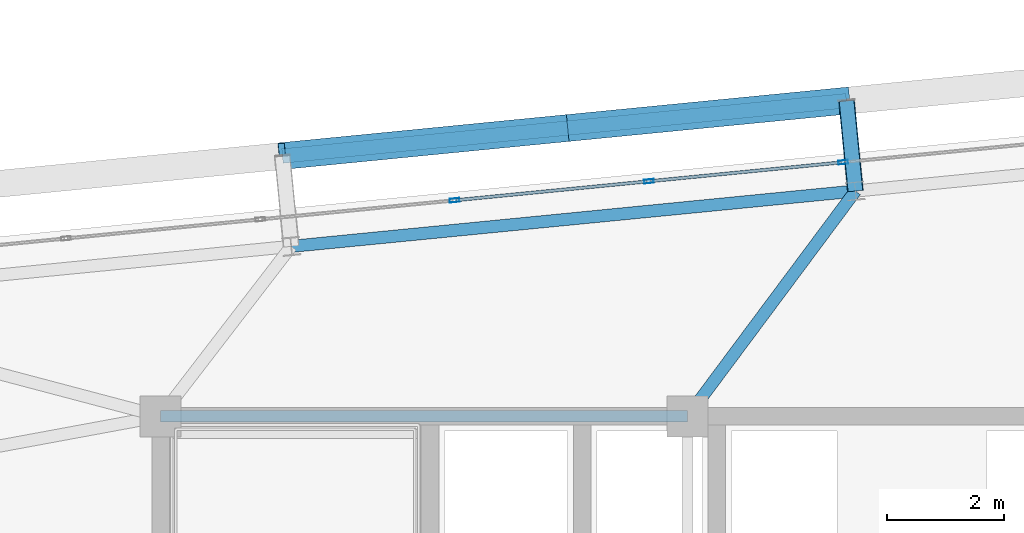
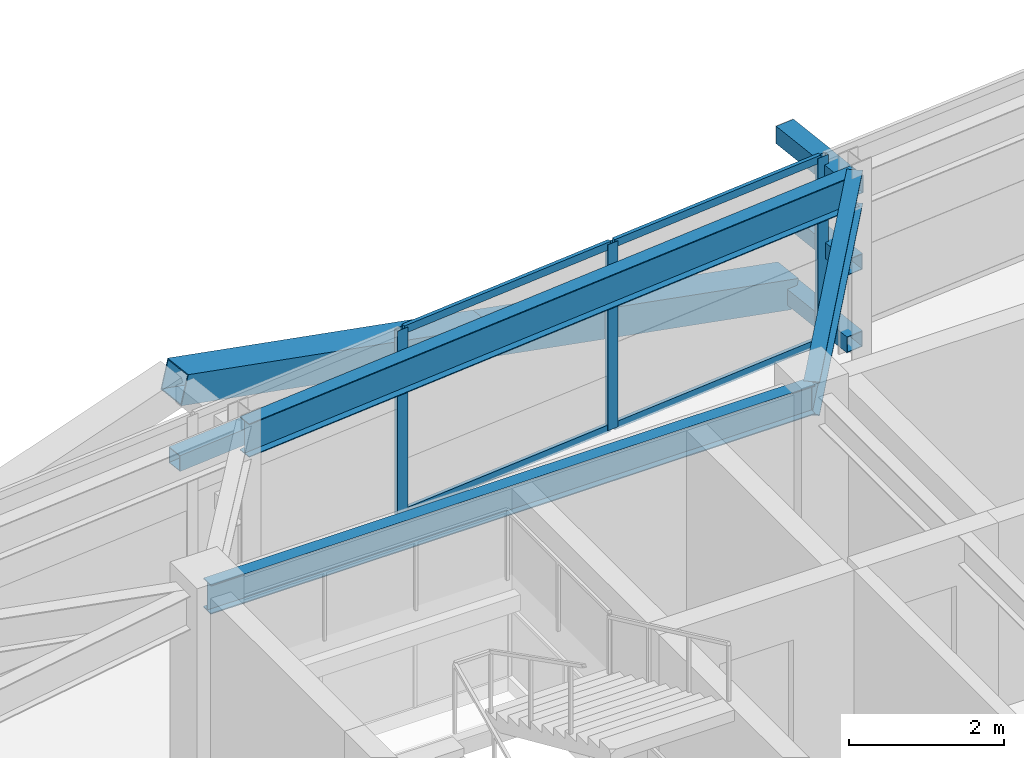
# One storey, part 29 of 54: 13 members, 3 beams, 1 element without a shape of its own.
"""IFC4 building model written with IfcOpenShell, lengths in metres."""

from ifc_helpers import new_model, si_unit, direction, frame, origin, origin_2d, place, context, subcontext, project, spatial, hollow_rectangle, i_section, extrude, source, transform, mapped, material, layer, layer_set, material_profile, profile_set, type_object, element, aggregate, save


model = new_model("IFC4")

# Units and contexts
model_context = context("Model", 3, precision=1e-05, world=origin(), true_north=direction((0.0, 1.0)))
body_context = subcontext(model_context, "Body", "Model", "MODEL_VIEW")
ifc_project = project(units=[si_unit("LENGTHUNIT", "METRE"), si_unit("AREAUNIT", "SQUARE_METRE"), si_unit("VOLUMEUNIT", "CUBIC_METRE"), si_unit("PLANEANGLEUNIT", "RADIAN"), si_unit("MASSUNIT", "GRAM", prefix="KILO")], contexts=[model_context])

# Site, building, storey
site_placement = place(None, origin())
site = spatial("IfcSite", under=ifc_project, at=site_placement, CompositionType="ELEMENT")
building_placement = place(site_placement, origin())
building = spatial("IfcBuilding", under=site, at=building_placement, Name="Taldren Reach Tower", CompositionType="ELEMENT")
storey_placement = place(building_placement, frame((0.0, 0.0, 99.75)))
storey = spatial("IfcBuildingStorey", under=building, at=storey_placement, Name="L30", CompositionType="ELEMENT", Elevation=99.75)

# Beam
ifc_material_1 = material(Name="Steel Gr 350 (350PLUS)", Category="steel")
ifc_material_profile_1 = material_profile(ifc_material_1, i_section(OverallWidth=0.19091796875, OverallDepth=0.4599609375, WebThickness=0.010009765625, FlangeThickness=0.01611328125, at=origin_2d()), Name="460UB82.1")
ifc_profile_set_1 = profile_set([ifc_material_profile_1], Name="Steel Gr 350 (350PLUS)")
beam_type_1 = type_object("IfcBeamType", Name="BM-UB460A", PredefinedType="BEAM", material=ifc_profile_set_1)
shared_shape_1 = source(origin(), body_context, "Body", "SweptSolid", [
    extrude(i_section(OverallWidth=0.19091796875, OverallDepth=0.4599609375, WebThickness=0.010009765625, FlangeThickness=0.01611328125, at=origin_2d()), origin(), (0.0, 0.0, 1.0), 9.0),
])
beam_1_placement = place(storey_placement, frame((19.0, 32.0, 2.699951171875), z_axis=(1.0, 0.0, 0.0), x_axis=(0.0, 1.0, 0.0)))
element("IfcBeam", 1, at=beam_1_placement, inside=storey, type_object=beam_type_1, Name="Core-spine girder L30-SP04", PredefinedType="BEAM", context=body_context, shape_type="MappedRepresentation", body=[
    mapped(shared_shape_1, transform((0.0, 0.0, 0.0), scale=1.0)),
])

# Members
ifc_material_2 = material(Name="Steel Gr 450 (C450L0)", Category="steel")
ifc_material_profile_2 = material_profile(ifc_material_2, hollow_rectangle(XDim=0.27490234375, YDim=0.27490234375, WallThickness=0.00927734375, at=origin_2d()), Name="275x275x9.3SHS")
ifc_profile_set_2 = profile_set([ifc_material_profile_2], Name="Steel Gr 450 (C450L0)")
member_type_1 = type_object("IfcMemberType", Name="MB-TIE273", PredefinedType="STRUT", material=ifc_profile_set_2)
shared_shape_2 = source(origin(), body_context, "Body", "SweptSolid", [
    extrude(hollow_rectangle(XDim=0.27490234375, YDim=0.27490234375, WallThickness=0.00927734375, at=origin_2d()), origin(), (0.0, 0.0, 1.0), 1.5498046875),
])
member_1_placement = place(storey_placement, frame((30.864501953125, 35.84619140625, 2.64990234375), z_axis=(-0.097663201064, 0.995219523099, 0.0), x_axis=(-0.995219523099, -0.097663201064, 0.0)))
element("IfcMember", 2, at=member_1_placement, inside=storey, type_object=member_type_1, Name="Exoskeleton diaphragm tie strut B2-N3 L30", PredefinedType="STRUT", context=body_context, shape_type="MappedRepresentation", body=[
    mapped(shared_shape_2, transform((0.0, 0.0, 0.0), scale=1.0)),
])
ifc_material_3 = material(Name="Steel Gr 350 (C350L0)", Category="steel")
ifc_material_profile_3 = material_profile(ifc_material_3, hollow_rectangle(XDim=0.25, YDim=0.25, WallThickness=0.010009765625, at=origin_2d()), Name="250x250x10.0SHS")
ifc_profile_set_3 = profile_set([ifc_material_profile_3], Name="Steel Gr 350 (C350L0)")
member_type_2 = type_object("IfcMemberType", Name="MB-POST250", PredefinedType="POST", material=ifc_profile_set_3)
shared_shape_3 = source(origin(), body_context, "Body", "SweptSolid", [
    extrude(hollow_rectangle(XDim=0.25, YDim=0.25, WallThickness=0.010009765625, at=origin_2d()), origin(), (0.0, 0.0, 1.0), 1.5498046875),
])
for number, where, z_axis, x_axis, name in (
    (3, (30.864501953125, 35.84619140625, 0.219970703125), (-0.097663201064, 0.995219523099, 0.0), (-0.995219523099, -0.097663201064, 0.0), "Exoskeleton base diaphragm tie strut B2-N3 L30"),
    (4, (30.864501953125, 35.84619140625, 1.43505859375), (-0.097663201064, 0.995219523099, 0.0), (-0.995219523099, -0.097663201064, 0.0), "Exoskeleton mid-tier diaphragm tie B2-N3 L30"),
):
    element("IfcMember", number, at=place(storey_placement, frame(where, z_axis=z_axis, x_axis=x_axis)), inside=storey, type_object=member_type_2, Name=name, PredefinedType="POST", context=body_context, shape_type="MappedRepresentation", body=[
        mapped(shared_shape_3, transform((0.0, 0.0, 0.0), scale=1.0)),
    ])

# Beams
ifc_material_profile_4 = material_profile(ifc_material_1, i_section(OverallWidth=0.208984375, OverallDepth=0.528076171875, WebThickness=0.009521484375, FlangeThickness=0.01318359375, at=origin_2d()), Name="530UB82.0")
ifc_profile_set_4 = profile_set([ifc_material_profile_4], Name="Steel Gr 350 (350PLUS)")
beam_type_2 = type_object("IfcBeamType", Name="SP-UB530B", PredefinedType="SPANDREL", material=ifc_profile_set_4)
shared_shape_4 = source(origin(), body_context, "Body", "SweptSolid", [
    extrude(i_section(OverallWidth=0.208984375, OverallDepth=0.528076171875, WebThickness=0.009521484375, FlangeThickness=0.01318359375, at=origin_2d()), origin(), (0.0, 0.0, 1.0), 9.679931640625),
])
beam_2_placement = place(storey_placement, frame((30.864501953125, 35.84619140625, 2.666015625), z_axis=(-0.995225162995, -0.097605711627, 0.0), x_axis=(0.097605711627, -0.995225162995, 0.0)))
element("IfcBeam", 5, at=beam_2_placement, inside=storey, type_object=beam_type_2, Name="Perimeter spandrel B2 N3-N2 L30", PredefinedType="SPANDREL", context=body_context, shape_type="MappedRepresentation", body=[
    mapped(shared_shape_4, transform((0.0, 0.0, 0.0), scale=1.0)),
])
ifc_material_profile_5 = material_profile(ifc_material_1, i_section(OverallWidth=0.208984375, OverallDepth=0.532958984375, WebThickness=0.01025390625, FlangeThickness=0.015625, at=origin_2d()), Name="530UB92.4")
ifc_profile_set_5 = profile_set([ifc_material_profile_5], Name="Steel Gr 350 (350PLUS)")
beam_type_3 = type_object("IfcBeamType", Name="BM-UB530A", PredefinedType="BEAM", material=ifc_profile_set_5)
shared_shape_5 = source(origin(), body_context, "Body", "SweptSolid", [
    extrude(i_section(OverallWidth=0.208984375, OverallDepth=0.532958984375, WebThickness=0.01025390625, FlangeThickness=0.015625, at=origin_2d()), origin(), (0.0, 0.0, 1.0), 4.795654296875),
])
beam_3_placement = place(storey_placement, frame((28.0, 32.0, 2.66357421875), z_axis=(0.59730864792, 0.802011458223, 0.0), x_axis=(-0.802011458223, 0.59730864792, 0.0)))
element("IfcBeam", 6, at=beam_3_placement, inside=storey, type_object=beam_type_3, Name="Primary floor girder B2-N3 L30", PredefinedType="BEAM", context=body_context, shape_type="MappedRepresentation", body=[
    mapped(shared_shape_5, transform((0.0, 0.0, 0.0), scale=1.0)),
])

# Members
ifc_material_profile_6 = material_profile(ifc_material_2, hollow_rectangle(XDim=0.4599609375, YDim=0.4599609375, WallThickness=0.01611328125, at=origin_2d()), Name="460x460x16.0SHS")
ifc_profile_set_6 = profile_set([ifc_material_profile_6], Name="Steel Gr 450 (C450L0)")
member_type_3 = type_object("IfcMemberType", Name="MB-EXO457", PredefinedType="BRACE", material=ifc_profile_set_6)
shared_shape_6 = source(origin(), body_context, "Body", "SweptSolid", [
    extrude(hollow_rectangle(XDim=0.4599609375, YDim=0.4599609375, WallThickness=0.01611328125, at=origin_2d()), origin(), (0.0, 0.0, 1.0), 4.990234375),
])
for number, where, z_axis, x_axis, name in (
    (7, (30.713134765625, 37.388671875, 0.219970703125), (-0.965275526283, -0.094619506732, 0.243496010862), (0.097555749586, -0.995230061706, 0.0), "Exoskeleton Diagrid Brace B2-N2 L30"),
    (8, (25.896240234375, 36.91650390625, 1.43505859375), (-0.965282554799, -0.094669120301, 0.243448859234), (0.097605711627, -0.995225162995, 0.0), "Exoskeleton Diagrid Brace B2-N2 L30"),
):
    element("IfcMember", number, at=place(storey_placement, frame(where, z_axis=z_axis, x_axis=x_axis)), inside=storey, type_object=member_type_3, Name=name, PredefinedType="BRACE", context=body_context, shape_type="MappedRepresentation", body=[
        mapped(shared_shape_6, transform((0.0, 0.0, 0.0), scale=1.0)),
    ])
shared_shape_7 = source(origin(), body_context, "Body", "SweptSolid", [
    extrude(hollow_rectangle(XDim=0.25, YDim=0.25, WallThickness=0.010009765625, at=origin_2d()), origin(), (0.0, 0.0, 1.0), 9.679931640625),
])
member_2_placement = place(storey_placement, frame((21.079345703125, 36.444091796875, 1.43505859375), z_axis=(0.995227612658, 0.097580730699, 0.0), x_axis=(-0.097580730699, 0.995227612658, 0.0)))
element("IfcMember", 9, at=member_2_placement, inside=storey, type_object=member_type_2, Name="Exoskeleton mid-height ring chord B2-N2 L30", PredefinedType="POST", context=body_context, shape_type="MappedRepresentation", body=[
    mapped(shared_shape_7, transform((0.0, 0.0, 0.0), scale=1.0)),
])

# Curtain wall, members
ifc_material_4 = material(Name="Aluminium and Low-E Glass Unitised System", Category="aluminium")
ifc_layer = layer(ifc_material_4, 0.159912109375)
ifc_layer_set = layer_set([ifc_layer], Name="Aluminium and Low-E Glass Unitised System")
curtain_wall_type = type_object("IfcCurtainWallType", Name="CW-SYS-3", PredefinedType="NOTDEFINED", material=ifc_layer_set)
curtain_wall_placement = place(storey_placement, origin())
curtain_wall = element("IfcCurtainWall", 10, at=curtain_wall_placement, inside=storey, type_object=curtain_wall_type, Name="Unitised curtain wall CW-L30-N", PredefinedType="NOTDEFINED")
ifc_material_5 = material(Name="Anodised Aluminium 6063-T6", Category="aluminium")
ifc_material_profile_7 = material_profile(ifc_material_5, hollow_rectangle(XDim=0.06494140625, YDim=0.1650390625, WallThickness=0.00390625, at=origin_2d()), Name="ALU-165x65x4RHS")
ifc_profile_set_7 = profile_set([ifc_material_profile_7], Name="Anodised Aluminium 6063-T6")
member_type_4 = type_object("IfcMemberType", Name="CW-MUL-165", PredefinedType="MULLION", material=ifc_profile_set_7)
shared_shape_8 = source(origin(), body_context, "Body", "SweptSolid", [
    extrude(hollow_rectangle(XDim=0.06494140625, YDim=0.1650390625, WallThickness=0.00390625, at=origin_2d()), origin(), (0.0, 0.0, 1.0), 2.929931640625),
])
member_3_placement = place(storey_placement, frame((30.655517578125, 36.338134765625, 0.0), z_axis=(0.0, 0.0, 1.0), x_axis=(0.097582999046, -0.995227390247, 0.0)))
member_3 = element("IfcMember", 11, at=member_3_placement, type_object=member_type_4, Name="CW-3 mullion 10", PredefinedType="MULLION", context=body_context, shape_type="MappedRepresentation", body=[
    mapped(shared_shape_8, transform((0.0, 0.0, 0.0), scale=1.0)),
])
member_4_placement = place(storey_placement, frame((27.337890625, 36.0126953125, 0.0), z_axis=(0.0, 0.0, 1.0), x_axis=(0.097582999046, -0.995227390247, 0.0)))
member_4 = element("IfcMember", 12, at=member_4_placement, type_object=member_type_4, Name="CW-3 mullion 11", PredefinedType="MULLION", context=body_context, shape_type="MappedRepresentation", body=[
    mapped(shared_shape_8, transform((0.0, 0.0, 0.0), scale=1.0)),
])
member_5_placement = place(storey_placement, frame((24.0205078125, 35.6875, 0.0), z_axis=(0.0, 0.0, 1.0), x_axis=(0.097582999046, -0.995227390247, 0.0)))
member_5 = element("IfcMember", 13, at=member_5_placement, type_object=member_type_4, Name="CW-3 mullion 12", PredefinedType="MULLION", context=body_context, shape_type="MappedRepresentation", body=[
    mapped(shared_shape_8, transform((0.0, 0.0, 0.0), scale=1.0)),
])
ifc_material_profile_8 = material_profile(ifc_material_5, hollow_rectangle(XDim=0.054931640625, YDim=0.1201171875, WallThickness=0.0029296875, at=origin_2d()), Name="ALU-120x55x3RHS")
ifc_profile_set_8 = profile_set([ifc_material_profile_8], Name="Anodised Aluminium 6063-T6")
member_type_5 = type_object("IfcMemberType", Name="CW-TRN-135", PredefinedType="USERDEFINED", material=ifc_profile_set_8)
shared_shape_9 = source(origin(), body_context, "Body", "SweptSolid", [
    extrude(hollow_rectangle(XDim=0.054931640625, YDim=0.1201171875, WallThickness=0.0029296875, at=origin_2d()), origin(), (0.0, 0.0, 1.0), 3.268310546875),
])
member_6_placement = place(storey_placement, frame((30.623046875, 36.3349609375, 0.027587890625), z_axis=(-0.995222549564, -0.097632355496, 0.0), x_axis=(0.097632355496, -0.995222549564, 0.0)))
member_6 = element("IfcMember", 14, at=member_6_placement, type_object=member_type_5, Name="CW-3 transom 10.1", ObjectType="TRANSOM", PredefinedType="USERDEFINED", context=body_context, shape_type="MappedRepresentation", body=[
    mapped(shared_shape_9, transform((0.0, 0.0, 0.0), scale=1.0)),
])
member_7_placement = place(storey_placement, frame((30.623046875, 36.3349609375, 2.902587890625), z_axis=(-0.995222549564, -0.097632355496, 0.0), x_axis=(0.097632355496, -0.995222549564, 0.0)))
member_7 = element("IfcMember", 15, at=member_7_placement, type_object=member_type_5, Name="CW-3 transom 10.2", ObjectType="TRANSOM", PredefinedType="USERDEFINED", context=body_context, shape_type="MappedRepresentation", body=[
    mapped(shared_shape_9, transform((0.0, 0.0, 0.0), scale=1.0)),
])
member_8_placement = place(storey_placement, frame((27.3056640625, 36.009521484375, 0.027587890625), z_axis=(-0.99522980512, -0.097558367146, 0.0), x_axis=(0.097558367146, -0.99522980512, 0.0)))
member_8 = element("IfcMember", 16, at=member_8_placement, type_object=member_type_5, Name="CW-3 transom 11.1", ObjectType="TRANSOM", PredefinedType="USERDEFINED", context=body_context, shape_type="MappedRepresentation", body=[
    mapped(shared_shape_9, transform((0.0, 0.0, 0.0), scale=1.0)),
])
member_9_placement = place(storey_placement, frame((27.3056640625, 36.009521484375, 2.902587890625), z_axis=(-0.99522980512, -0.097558367146, 0.0), x_axis=(0.097558367146, -0.99522980512, 0.0)))
member_9 = element("IfcMember", 17, at=member_9_placement, type_object=member_type_5, Name="CW-3 transom 11.2", ObjectType="TRANSOM", PredefinedType="USERDEFINED", context=body_context, shape_type="MappedRepresentation", body=[
    mapped(shared_shape_9, transform((0.0, 0.0, 0.0), scale=1.0)),
])
aggregate(curtain_wall, [member_3, member_4, member_5, member_6, member_7, member_8, member_9])

save(model, "model.ifc")
